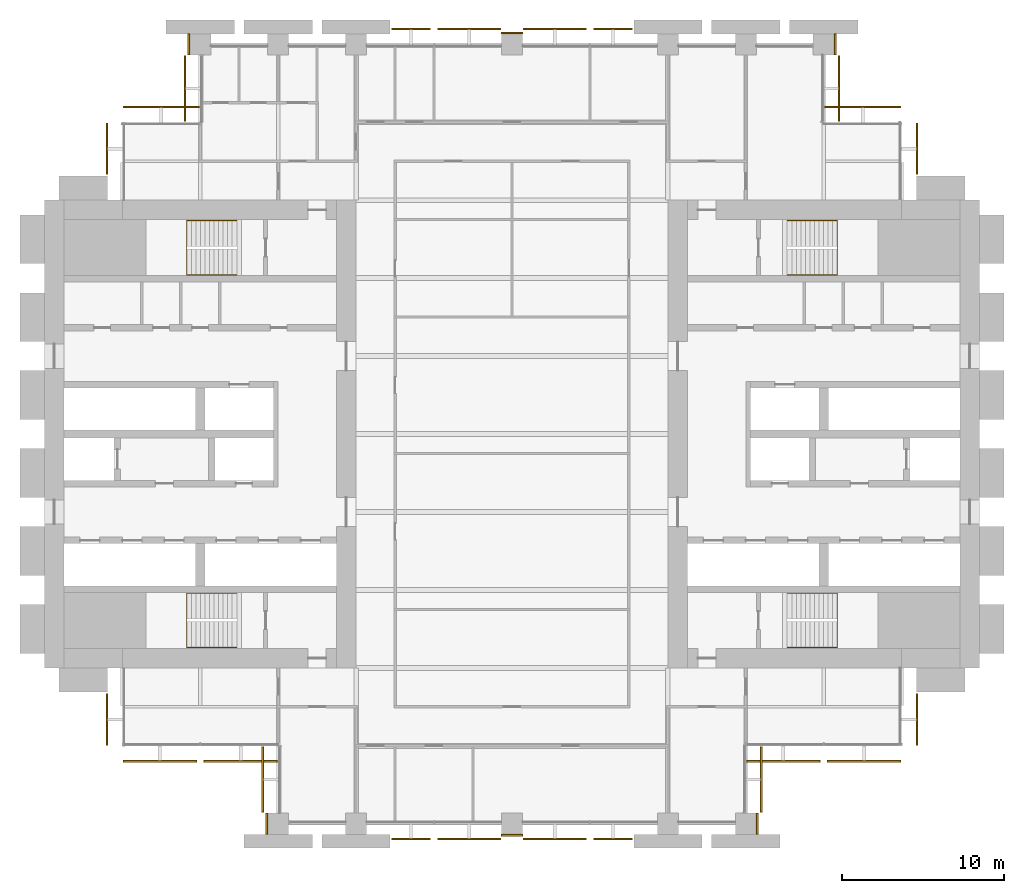
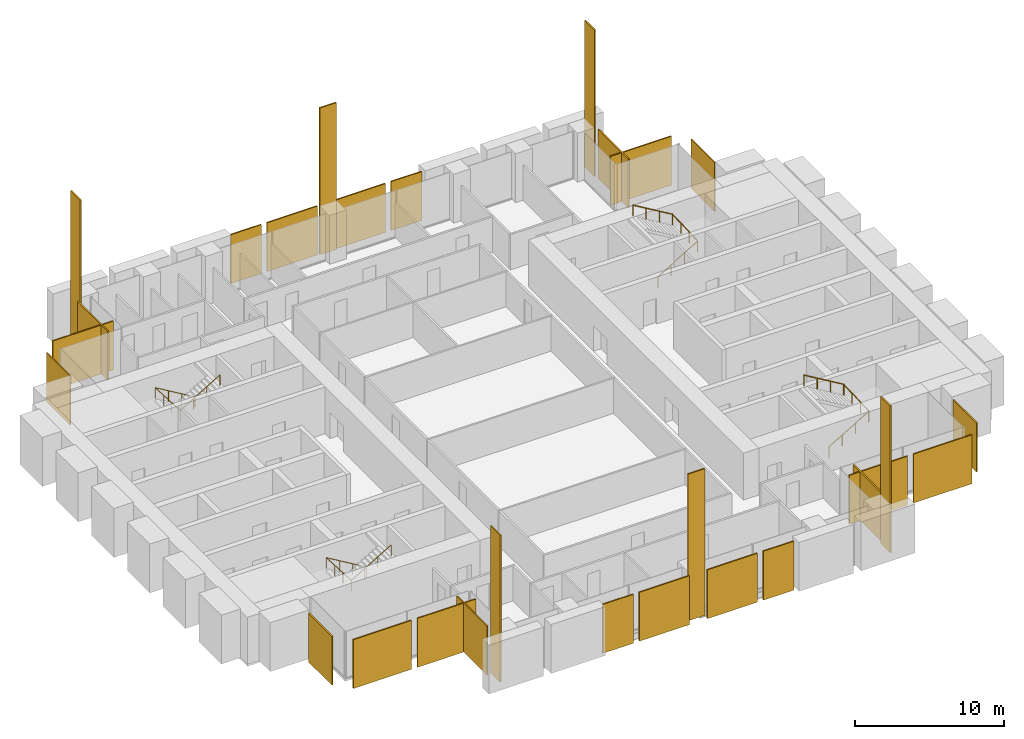
# One storey, part 14 of 14: 28 coverings, 4 railings.
"""IFC4 building model written with IfcOpenShell, lengths in metres."""

from ifc_helpers import new_model, si_unit, direction, frame, origin, origin_2d, place, context, subcontext, project, spatial, polyline, rectangle, circle, outline, extrude, material, layer, layer_set, type_object, element, save


model = new_model("IFC4")

# Units and contexts
model_context = context("Model", 3, precision=1e-05, world=origin(), true_north=direction((0.0, 1.0)))
body_context = subcontext(model_context, "Body", "Model", "MODEL_VIEW")
ifc_project = project(units=[si_unit("LENGTHUNIT", "METRE"), si_unit("AREAUNIT", "SQUARE_METRE"), si_unit("VOLUMEUNIT", "CUBIC_METRE"), si_unit("PLANEANGLEUNIT", "RADIAN"), si_unit("MASSUNIT", "GRAM", prefix="KILO")], contexts=[model_context])

# Site, building, storey
site_placement = place(None, origin())
site = spatial("IfcSite", under=ifc_project, at=site_placement, CompositionType="ELEMENT")
building_placement = place(site_placement, origin())
building = spatial("IfcBuilding", under=site, at=building_placement, Name="Baori Bourse Tower", CompositionType="ELEMENT")
storey_placement = place(building_placement, frame((0.0, 0.0, 63.0)))
storey = spatial("IfcBuildingStorey", under=building, at=storey_placement, Name="L13", CompositionType="ELEMENT", Elevation=63.0)

# Railings
ifc_material_1 = material(Name="Powder-coated steel balustrade", Category="steel")
railing_type = type_object("IfcRailingType", Name="Core stair handrail", PredefinedType="HANDRAIL", material=ifc_material_1)
railing_1_placement = place(storey_placement, frame((11.85009765625, 14.199951171875, 0.166748046875)))
element("IfcRailing", 1, at=railing_1_placement, inside=storey, type_object=railing_type, Name="L13 ST1 stair handrail 1", PredefinedType="HANDRAIL", context=body_context, shape_type="SweptSolid", body=[
    extrude(circle(Radius=0.02392578125, at=origin_2d()), frame((0.0, 0.0, 0.8759765625), z_axis=(-0.859308565015, 0.0, 0.511457515432), x_axis=(0.0, -1.0, 0.0)), (0.0, 0.0, 1.0), 3.58447265625),
    extrude(circle(Radius=0.02392578125, at=origin_2d()), frame((-3.080078125, 0.0, 2.708984375), z_axis=(0.0, -0.998763387249, 0.04971615724), x_axis=(1.0, 0.0, 0.0)), (0.0, 0.0, 1.0), 3.35400390625),
    extrude(circle(Radius=0.02392578125, at=origin_2d()), frame((-3.080078125, -3.349853515625, 2.8759765625), z_axis=(0.859308565015, 0.0, 0.511457515432), x_axis=(0.0, 1.0, 0.0)), (0.0, 0.0, 1.0), 3.58447265625),
    extrude(circle(Radius=0.02099609375, at=origin_2d()), origin(), (0.0, 0.0, 1.0), 0.851806640625),
    extrude(circle(Radius=0.02099609375, at=origin_2d()), frame((-1.026611328125, 0.0, 0.611083984375)), (0.0, 0.0, 1.0), 0.851806640625),
    extrude(circle(Radius=0.02099609375, at=origin_2d()), frame((-2.053466796875, 0.0, 1.22216796875)), (0.0, 0.0, 1.0), 0.851806640625),
    extrude(circle(Radius=0.02099609375, at=origin_2d()), frame((-3.080078125, 0.0, 1.833251953125)), (0.0, 0.0, 1.0), 0.851806640625),
    extrude(circle(Radius=0.02099609375, at=origin_2d()), frame((-3.080078125, -1.11669921875, 1.888916015625)), (0.0, 0.0, 1.0), 0.851806640625),
    extrude(circle(Radius=0.02099609375, at=origin_2d()), frame((-3.080078125, -2.233154296875, 1.9443359375)), (0.0, 0.0, 1.0), 0.851806640625),
    extrude(circle(Radius=0.02099609375, at=origin_2d()), frame((-3.080078125, -3.349853515625, 2.0)), (0.0, 0.0, 1.0), 0.851806640625),
    extrude(circle(Radius=0.02099609375, at=origin_2d()), frame((-2.053466796875, -3.349853515625, 2.611083984375)), (0.0, 0.0, 1.0), 0.851806640625),
    extrude(circle(Radius=0.02099609375, at=origin_2d()), frame((-1.026611328125, -3.349853515625, 3.22216796875)), (0.0, 0.0, 1.0), 0.851806640625),
    extrude(circle(Radius=0.02099609375, at=origin_2d()), frame((0.0, -3.349853515625, 3.833251953125)), (0.0, 0.0, 1.0), 0.851806640625),
])
railing_2_placement = place(storey_placement, frame((11.85009765625, 37.14990234375, 0.166748046875)))
element("IfcRailing", 2, at=railing_2_placement, inside=storey, type_object=railing_type, Name="L13 ST2 stair handrail 1", PredefinedType="HANDRAIL", context=body_context, shape_type="SweptSolid", body=[
    extrude(circle(Radius=0.02392578125, at=origin_2d()), frame((0.0, 0.0, 0.8759765625), z_axis=(-0.859308565015, 0.0, 0.511457515432), x_axis=(0.0, -1.0, 0.0)), (0.0, 0.0, 1.0), 3.58447265625),
    extrude(circle(Radius=0.02392578125, at=origin_2d()), frame((-3.080078125, 0.0, 2.708984375), z_axis=(0.0, -0.998763387249, 0.04971615724), x_axis=(1.0, 0.0, 0.0)), (0.0, 0.0, 1.0), 3.35400390625),
    extrude(circle(Radius=0.02392578125, at=origin_2d()), frame((-3.080078125, -3.349853515625, 2.8759765625), z_axis=(0.859308565015, 0.0, 0.511457515432), x_axis=(0.0, 1.0, 0.0)), (0.0, 0.0, 1.0), 3.58447265625),
    extrude(circle(Radius=0.02099609375, at=origin_2d()), origin(), (0.0, 0.0, 1.0), 0.851806640625),
    extrude(circle(Radius=0.02099609375, at=origin_2d()), frame((-1.026611328125, 0.0, 0.611083984375)), (0.0, 0.0, 1.0), 0.851806640625),
    extrude(circle(Radius=0.02099609375, at=origin_2d()), frame((-2.053466796875, 0.0, 1.22216796875)), (0.0, 0.0, 1.0), 0.851806640625),
    extrude(circle(Radius=0.02099609375, at=origin_2d()), frame((-3.080078125, 0.0, 1.833251953125)), (0.0, 0.0, 1.0), 0.851806640625),
    extrude(circle(Radius=0.02099609375, at=origin_2d()), frame((-3.080078125, -1.11669921875, 1.888916015625)), (0.0, 0.0, 1.0), 0.851806640625),
    extrude(circle(Radius=0.02099609375, at=origin_2d()), frame((-3.080078125, -2.233154296875, 1.9443359375)), (0.0, 0.0, 1.0), 0.851806640625),
    extrude(circle(Radius=0.02099609375, at=origin_2d()), frame((-3.080078125, -3.349853515625, 2.0)), (0.0, 0.0, 1.0), 0.851806640625),
    extrude(circle(Radius=0.02099609375, at=origin_2d()), frame((-2.053466796875, -3.349853515625, 2.611083984375)), (0.0, 0.0, 1.0), 0.851806640625),
    extrude(circle(Radius=0.02099609375, at=origin_2d()), frame((-1.026611328125, -3.349853515625, 3.22216796875)), (0.0, 0.0, 1.0), 0.851806640625),
    extrude(circle(Radius=0.02099609375, at=origin_2d()), frame((0.0, -3.349853515625, 3.833251953125)), (0.0, 0.0, 1.0), 0.851806640625),
])
railing_3_placement = place(storey_placement, frame((45.75, 10.85009765625, 0.166748046875)))
element("IfcRailing", 3, at=railing_3_placement, inside=storey, type_object=railing_type, Name="L13 ST3 stair handrail 1", PredefinedType="HANDRAIL", context=body_context, shape_type="SweptSolid", body=[
    extrude(circle(Radius=0.02392578125, at=origin_2d()), frame((0.0, 0.0, 0.8759765625), z_axis=(0.859308565015, 0.0, 0.511457515432), x_axis=(0.0, 1.0, 0.0)), (0.0, 0.0, 1.0), 3.58447265625),
    extrude(circle(Radius=0.02392578125, at=origin_2d()), frame((3.080078125, 0.0, 2.708984375), z_axis=(0.0, 0.998763387249, 0.04971615724), x_axis=(-1.0, 0.0, 0.0)), (0.0, 0.0, 1.0), 3.35400390625),
    extrude(circle(Radius=0.02392578125, at=origin_2d()), frame((3.080078125, 3.349853515625, 2.8759765625), z_axis=(-0.859308565015, 0.0, 0.511457515432), x_axis=(0.0, -1.0, 0.0)), (0.0, 0.0, 1.0), 3.58447265625),
    extrude(circle(Radius=0.02099609375, at=origin_2d()), origin(), (0.0, 0.0, 1.0), 0.851806640625),
    extrude(circle(Radius=0.02099609375, at=origin_2d()), frame((1.026611328125, 0.0, 0.611083984375)), (0.0, 0.0, 1.0), 0.851806640625),
    extrude(circle(Radius=0.02099609375, at=origin_2d()), frame((2.053466796875, 0.0, 1.22216796875)), (0.0, 0.0, 1.0), 0.851806640625),
    extrude(circle(Radius=0.02099609375, at=origin_2d()), frame((3.080078125, 0.0, 1.833251953125)), (0.0, 0.0, 1.0), 0.851806640625),
    extrude(circle(Radius=0.02099609375, at=origin_2d()), frame((3.080078125, 1.11669921875, 1.888916015625)), (0.0, 0.0, 1.0), 0.851806640625),
    extrude(circle(Radius=0.02099609375, at=origin_2d()), frame((3.080078125, 2.233154296875, 1.9443359375)), (0.0, 0.0, 1.0), 0.851806640625),
    extrude(circle(Radius=0.02099609375, at=origin_2d()), frame((3.080078125, 3.349853515625, 2.0)), (0.0, 0.0, 1.0), 0.851806640625),
    extrude(circle(Radius=0.02099609375, at=origin_2d()), frame((2.053466796875, 3.349853515625, 2.611083984375)), (0.0, 0.0, 1.0), 0.851806640625),
    extrude(circle(Radius=0.02099609375, at=origin_2d()), frame((1.026611328125, 3.349853515625, 3.22216796875)), (0.0, 0.0, 1.0), 0.851806640625),
    extrude(circle(Radius=0.02099609375, at=origin_2d()), frame((0.0, 3.349853515625, 3.833251953125)), (0.0, 0.0, 1.0), 0.851806640625),
])
railing_4_placement = place(storey_placement, frame((45.75, 33.800048828125, 0.166748046875)))
element("IfcRailing", 4, at=railing_4_placement, inside=storey, type_object=railing_type, Name="L13 ST4 stair handrail 1", PredefinedType="HANDRAIL", context=body_context, shape_type="SweptSolid", body=[
    extrude(circle(Radius=0.02392578125, at=origin_2d()), frame((0.0, 0.0, 0.8759765625), z_axis=(0.859308565015, 0.0, 0.511457515432), x_axis=(0.0, 1.0, 0.0)), (0.0, 0.0, 1.0), 3.58447265625),
    extrude(circle(Radius=0.02392578125, at=origin_2d()), frame((3.080078125, 0.0, 2.708984375), z_axis=(0.0, 0.998763387249, 0.04971615724), x_axis=(-1.0, 0.0, 0.0)), (0.0, 0.0, 1.0), 3.35400390625),
    extrude(circle(Radius=0.02392578125, at=origin_2d()), frame((3.080078125, 3.349853515625, 2.8759765625), z_axis=(-0.859308565015, 0.0, 0.511457515432), x_axis=(0.0, -1.0, 0.0)), (0.0, 0.0, 1.0), 3.58447265625),
    extrude(circle(Radius=0.02099609375, at=origin_2d()), origin(), (0.0, 0.0, 1.0), 0.851806640625),
    extrude(circle(Radius=0.02099609375, at=origin_2d()), frame((1.026611328125, 0.0, 0.611083984375)), (0.0, 0.0, 1.0), 0.851806640625),
    extrude(circle(Radius=0.02099609375, at=origin_2d()), frame((2.053466796875, 0.0, 1.22216796875)), (0.0, 0.0, 1.0), 0.851806640625),
    extrude(circle(Radius=0.02099609375, at=origin_2d()), frame((3.080078125, 0.0, 1.833251953125)), (0.0, 0.0, 1.0), 0.851806640625),
    extrude(circle(Radius=0.02099609375, at=origin_2d()), frame((3.080078125, 1.11669921875, 1.888916015625)), (0.0, 0.0, 1.0), 0.851806640625),
    extrude(circle(Radius=0.02099609375, at=origin_2d()), frame((3.080078125, 2.233154296875, 1.9443359375)), (0.0, 0.0, 1.0), 0.851806640625),
    extrude(circle(Radius=0.02099609375, at=origin_2d()), frame((3.080078125, 3.349853515625, 2.0)), (0.0, 0.0, 1.0), 0.851806640625),
    extrude(circle(Radius=0.02099609375, at=origin_2d()), frame((2.053466796875, 3.349853515625, 2.611083984375)), (0.0, 0.0, 1.0), 0.851806640625),
    extrude(circle(Radius=0.02099609375, at=origin_2d()), frame((1.026611328125, 3.349853515625, 3.22216796875)), (0.0, 0.0, 1.0), 0.851806640625),
    extrude(circle(Radius=0.02099609375, at=origin_2d()), frame((0.0, 3.349853515625, 3.833251953125)), (0.0, 0.0, 1.0), 0.851806640625),
])

# Coverings
ifc_material_2 = material(Name="Pale anodised aluminium", Category="aluminium")
ifc_layer_1 = layer(ifc_material_2, 0.10009765625)
ifc_layer_set_1 = layer_set([ifc_layer_1], Name="OS3 Outer skin screen panel")
covering_type_1 = type_object("IfcCoveringType", Name="OS3 Outer skin screen panel", PredefinedType="CLADDING", material=ifc_layer_set_1)
covering_1_placement = place(storey_placement, frame((0.0, 0.0, -0.159912109375)))
element("IfcCovering", 5, at=covering_1_placement, inside=storey, type_object=covering_type_1, Name="Outer skin screen L13 1", PredefinedType="CLADDING", context=body_context, shape_type="SweptSolid", body=[
    extrude(outline(polyline([(53.699951171875, 43.14990234375), (53.699951171875, 40.0), (53.800048828125, 40.0), (53.800048828125, 43.14990234375), (53.699951171875, 43.14990234375)])), origin(), (0.0, 0.0, 1.0), 4.0),
])
covering_2_placement = place(storey_placement, frame((0.0, 0.0, -0.159912109375)))
element("IfcCovering", 6, at=covering_2_placement, inside=storey, type_object=covering_type_1, Name="Outer skin screen L13 2", PredefinedType="CLADDING", context=body_context, shape_type="SweptSolid", body=[
    extrude(outline(polyline([(48.050048828125, 44.10009765625), (52.75, 44.10009765625), (52.75, 44.199951171875), (48.050048828125, 44.199951171875), (48.050048828125, 44.10009765625)])), origin(), (0.0, 0.0, 1.0), 4.0),
])
covering_3_placement = place(storey_placement, frame((0.0, 0.0, -0.159912109375)))
element("IfcCovering", 7, at=covering_3_placement, inside=storey, type_object=covering_type_1, Name="Outer skin screen L13 3", PredefinedType="CLADDING", context=body_context, shape_type="SweptSolid", body=[
    extrude(outline(polyline([(48.89990234375, 47.300048828125), (48.89990234375, 43.25), (49.0, 43.25), (49.0, 47.300048828125), (48.89990234375, 47.300048828125)])), origin(), (0.0, 0.0, 1.0), 4.0),
])
covering_4_placement = place(storey_placement, frame((0.0, 0.0, -0.159912109375)))
element("IfcCovering", 8, at=covering_4_placement, inside=storey, type_object=covering_type_1, Name="Outer skin screen L13 4", PredefinedType="CLADDING", context=body_context, shape_type="SweptSolid", body=[
    extrude(outline(polyline([(33.824951171875, 48.89990234375), (36.199951171875, 48.89990234375), (36.199951171875, 49.0), (33.824951171875, 49.0), (33.824951171875, 48.89990234375)])), origin(), (0.0, 0.0, 1.0), 4.0),
])
covering_5_placement = place(storey_placement, frame((0.0, 0.0, -0.159912109375)))
element("IfcCovering", 9, at=covering_5_placement, inside=storey, type_object=covering_type_1, Name="Outer skin screen L13 5", PredefinedType="CLADDING", context=body_context, shape_type="SweptSolid", body=[
    extrude(outline(polyline([(29.5, 48.89990234375), (33.375, 48.89990234375), (33.375, 49.0), (29.5, 49.0), (29.5, 48.89990234375)])), origin(), (0.0, 0.0, 1.0), 4.0),
])
covering_6_placement = place(storey_placement, frame((0.0, 0.0, -0.159912109375)))
element("IfcCovering", 10, at=covering_6_placement, inside=storey, type_object=covering_type_1, Name="Outer skin screen L13 6", PredefinedType="CLADDING", context=body_context, shape_type="SweptSolid", body=[
    extrude(outline(polyline([(24.22509765625, 48.89990234375), (28.10009765625, 48.89990234375), (28.10009765625, 49.0), (24.22509765625, 49.0), (24.22509765625, 48.89990234375)])), origin(), (0.0, 0.0, 1.0), 4.0),
])
covering_7_placement = place(storey_placement, frame((0.0, 0.0, -0.159912109375)))
element("IfcCovering", 11, at=covering_7_placement, inside=storey, type_object=covering_type_1, Name="Outer skin screen L13 7", PredefinedType="CLADDING", context=body_context, shape_type="SweptSolid", body=[
    extrude(outline(polyline([(21.39990234375, 48.89990234375), (23.77490234375, 48.89990234375), (23.77490234375, 49.0), (21.39990234375, 49.0), (21.39990234375, 48.89990234375)])), origin(), (0.0, 0.0, 1.0), 4.0),
])
covering_8_placement = place(storey_placement, frame((0.0, 0.0, -0.159912109375)))
element("IfcCovering", 12, at=covering_8_placement, inside=storey, type_object=covering_type_1, Name="Outer skin screen L13 8", PredefinedType="CLADDING", context=body_context, shape_type="SweptSolid", body=[
    extrude(outline(polyline([(8.699951171875, 43.25), (8.699951171875, 47.300048828125), (8.60009765625, 47.300048828125), (8.60009765625, 43.25), (8.699951171875, 43.25)])), origin(), (0.0, 0.0, 1.0), 4.0),
])
covering_9_placement = place(storey_placement, frame((0.0, 0.0, -0.159912109375)))
element("IfcCovering", 13, at=covering_9_placement, inside=storey, type_object=covering_type_1, Name="Outer skin screen L13 9", PredefinedType="CLADDING", context=body_context, shape_type="SweptSolid", body=[
    extrude(outline(polyline([(4.85009765625, 44.10009765625), (9.550048828125, 44.10009765625), (9.550048828125, 44.199951171875), (4.85009765625, 44.199951171875), (4.85009765625, 44.10009765625)])), origin(), (0.0, 0.0, 1.0), 4.0),
])
covering_10_placement = place(storey_placement, frame((0.0, 0.0, -0.159912109375)))
element("IfcCovering", 14, at=covering_10_placement, inside=storey, type_object=covering_type_1, Name="Outer skin screen L13 10", PredefinedType="CLADDING", context=body_context, shape_type="SweptSolid", body=[
    extrude(outline(polyline([(3.89990234375, 40.0), (3.89990234375, 43.14990234375), (3.800048828125, 43.14990234375), (3.800048828125, 40.0), (3.89990234375, 40.0), (3.89990234375, 40.0)])), origin(), (0.0, 0.0, 1.0), 4.0),
])
covering_11_placement = place(storey_placement, frame((0.0, 0.0, -0.159912109375)))
element("IfcCovering", 15, at=covering_11_placement, inside=storey, type_object=covering_type_1, Name="Outer skin screen L13 11", PredefinedType="CLADDING", context=body_context, shape_type="SweptSolid", body=[
    extrude(outline(polyline([(3.89990234375, 4.85009765625), (3.89990234375, 8.0), (3.89990234375, 8.0), (3.800048828125, 8.0), (3.800048828125, 4.85009765625), (3.89990234375, 4.85009765625)])), origin(), (0.0, 0.0, 1.0), 4.0),
])
covering_12_placement = place(storey_placement, frame((0.0, 0.0, -0.159912109375)))
element("IfcCovering", 16, at=covering_12_placement, inside=storey, type_object=covering_type_1, Name="Outer skin screen L13 12", PredefinedType="CLADDING", context=body_context, shape_type="SweptSolid", body=[
    extrude(outline(polyline([(9.375, 3.89990234375), (4.85009765625, 3.89990234375), (4.85009765625, 3.800048828125), (9.375, 3.800048828125), (9.375, 3.89990234375)])), origin(), (0.0, 0.0, 1.0), 4.0),
])
covering_13_placement = place(storey_placement, frame((0.0, 0.0, -0.159912109375)))
element("IfcCovering", 17, at=covering_13_placement, inside=storey, type_object=covering_type_1, Name="Outer skin screen L13 13", PredefinedType="CLADDING", context=body_context, shape_type="SweptSolid", body=[
    extrude(outline(polyline([(14.35009765625, 3.89990234375), (9.824951171875, 3.89990234375), (9.824951171875, 3.800048828125), (14.35009765625, 3.800048828125), (14.35009765625, 3.89990234375)])), origin(), (0.0, 0.0, 1.0), 4.0),
])
covering_14_placement = place(storey_placement, frame((0.0, 0.0, -0.159912109375)))
element("IfcCovering", 18, at=covering_14_placement, inside=storey, type_object=covering_type_1, Name="Outer skin screen L13 14", PredefinedType="CLADDING", context=body_context, shape_type="SweptSolid", body=[
    extrude(outline(polyline([(13.5, 0.699951171875), (13.5, 4.75), (13.39990234375, 4.75), (13.39990234375, 0.699951171875), (13.5, 0.699951171875)])), origin(), (0.0, 0.0, 1.0), 4.0),
])
covering_15_placement = place(storey_placement, frame((0.0, 0.0, -0.159912109375)))
element("IfcCovering", 19, at=covering_15_placement, inside=storey, type_object=covering_type_1, Name="Outer skin screen L13 15", PredefinedType="CLADDING", context=body_context, shape_type="SweptSolid", body=[
    extrude(outline(polyline([(23.77490234375, -0.89990234375), (21.39990234375, -0.89990234375), (21.39990234375, -1.0), (23.77490234375, -1.0), (23.77490234375, -0.89990234375)])), origin(), (0.0, 0.0, 1.0), 4.0),
])
covering_16_placement = place(storey_placement, frame((0.0, 0.0, -0.159912109375)))
element("IfcCovering", 20, at=covering_16_placement, inside=storey, type_object=covering_type_1, Name="Outer skin screen L13 16", PredefinedType="CLADDING", context=body_context, shape_type="SweptSolid", body=[
    extrude(outline(polyline([(28.10009765625, -0.89990234375), (24.22509765625, -0.89990234375), (24.22509765625, -1.0), (28.10009765625, -1.0), (28.10009765625, -0.89990234375)])), origin(), (0.0, 0.0, 1.0), 4.0),
])
covering_17_placement = place(storey_placement, frame((0.0, 0.0, -0.159912109375)))
element("IfcCovering", 21, at=covering_17_placement, inside=storey, type_object=covering_type_1, Name="Outer skin screen L13 17", PredefinedType="CLADDING", context=body_context, shape_type="SweptSolid", body=[
    extrude(outline(polyline([(33.375, -0.89990234375), (29.5, -0.89990234375), (29.5, -1.0), (33.375, -1.0), (33.375, -0.89990234375)])), origin(), (0.0, 0.0, 1.0), 4.0),
])
covering_18_placement = place(storey_placement, frame((0.0, 0.0, -0.159912109375)))
element("IfcCovering", 22, at=covering_18_placement, inside=storey, type_object=covering_type_1, Name="Outer skin screen L13 18", PredefinedType="CLADDING", context=body_context, shape_type="SweptSolid", body=[
    extrude(outline(polyline([(36.199951171875, -0.89990234375), (33.824951171875, -0.89990234375), (33.824951171875, -1.0), (36.199951171875, -1.0), (36.199951171875, -0.89990234375)])), origin(), (0.0, 0.0, 1.0), 4.0),
])
covering_19_placement = place(storey_placement, frame((0.0, 0.0, -0.159912109375)))
element("IfcCovering", 23, at=covering_19_placement, inside=storey, type_object=covering_type_1, Name="Outer skin screen L13 19", PredefinedType="CLADDING", context=body_context, shape_type="SweptSolid", body=[
    extrude(outline(polyline([(44.10009765625, 4.75), (44.10009765625, 0.699951171875), (44.199951171875, 0.699951171875), (44.199951171875, 4.75), (44.10009765625, 4.75)])), origin(), (0.0, 0.0, 1.0), 4.0),
])
covering_20_placement = place(storey_placement, frame((0.0, 0.0, -0.159912109375)))
element("IfcCovering", 24, at=covering_20_placement, inside=storey, type_object=covering_type_1, Name="Outer skin screen L13 20", PredefinedType="CLADDING", context=body_context, shape_type="SweptSolid", body=[
    extrude(outline(polyline([(47.77490234375, 3.89990234375), (43.25, 3.89990234375), (43.25, 3.800048828125), (47.77490234375, 3.800048828125), (47.77490234375, 3.89990234375)])), origin(), (0.0, 0.0, 1.0), 4.0),
])
covering_21_placement = place(storey_placement, frame((0.0, 0.0, -0.159912109375)))
element("IfcCovering", 25, at=covering_21_placement, inside=storey, type_object=covering_type_1, Name="Outer skin screen L13 21", PredefinedType="CLADDING", context=body_context, shape_type="SweptSolid", body=[
    extrude(outline(polyline([(52.75, 3.89990234375), (48.22509765625, 3.89990234375), (48.22509765625, 3.800048828125), (52.75, 3.800048828125), (52.75, 3.89990234375)])), origin(), (0.0, 0.0, 1.0), 4.0),
])
covering_22_placement = place(storey_placement, frame((0.0, 0.0, -0.159912109375)))
element("IfcCovering", 26, at=covering_22_placement, inside=storey, type_object=covering_type_1, Name="Outer skin screen L13 22", PredefinedType="CLADDING", context=body_context, shape_type="SweptSolid", body=[
    extrude(outline(polyline([(53.699951171875, 8.0), (53.699951171875, 4.85009765625), (53.800048828125, 4.85009765625), (53.800048828125, 8.0), (53.699951171875, 8.0)])), origin(), (0.0, 0.0, 1.0), 4.0),
])
ifc_material_3 = material(Name="Face brick", Category="masonry")
ifc_layer_2 = layer(ifc_material_3, 0.110107421875)
ifc_layer_set_2 = layer_set([ifc_layer_2], Name="PC1 Brick pier facing")
covering_type_2 = type_object("IfcCoveringType", Name="PC1 Brick pier facing", PredefinedType="CLADDING", material=ifc_layer_set_2)
covering_23_placement = place(storey_placement, frame((13.695068359375, 0.0, 0.0), z_axis=(0.0, 0.0, 1.0), x_axis=(1.0, 0.0, 0.0)))
element("IfcCovering", 27, at=covering_23_placement, inside=storey, type_object=covering_type_2, Name="Brick pier facing L13 1", PredefinedType="CLADDING", context=body_context, shape_type="SweptSolid", body=[
    extrude(rectangle(XDim=0.110107421875, YDim=1.300048828125, at=origin_2d()), origin(), (0.0, 0.0, 1.0), 12.0),
])
covering_24_placement = place(storey_placement, frame((28.800048828125, -0.705078125, 0.0), z_axis=(0.0, 0.0, 1.0), x_axis=(1.0, 0.0, 0.0)))
element("IfcCovering", 28, at=covering_24_placement, inside=storey, type_object=covering_type_2, Name="Brick pier facing L13 2", PredefinedType="CLADDING", context=body_context, shape_type="SweptSolid", body=[
    extrude(rectangle(XDim=1.300048828125, YDim=0.110107421875, at=origin_2d()), origin(), (0.0, 0.0, 1.0), 12.0),
])
for number, where, z_axis, x_axis, name in (
    (29, (43.905029296875, 0.0, 0.0), (0.0, 0.0, 1.0), (1.0, 0.0, 0.0), "Brick pier facing L13 3"),
    (30, (8.89501953125, 48.0, 0.0), (0.0, 0.0, 1.0), (1.0, 0.0, 0.0), "Brick pier facing L13 4"),
):
    element("IfcCovering", number, at=place(storey_placement, frame(where, z_axis=z_axis, x_axis=x_axis)), inside=storey, type_object=covering_type_2, Name=name, PredefinedType="CLADDING", context=body_context, shape_type="SweptSolid", body=[
        extrude(rectangle(XDim=0.110107421875, YDim=1.300048828125, at=origin_2d()), origin(), (0.0, 0.0, 1.0), 12.0),
    ])
covering_25_placement = place(storey_placement, frame((28.800048828125, 48.705078125, 0.0), z_axis=(0.0, 0.0, 1.0), x_axis=(1.0, 0.0, 0.0)))
element("IfcCovering", 31, at=covering_25_placement, inside=storey, type_object=covering_type_2, Name="Brick pier facing L13 5", PredefinedType="CLADDING", context=body_context, shape_type="SweptSolid", body=[
    extrude(rectangle(XDim=1.300048828125, YDim=0.110107421875, at=origin_2d()), origin(), (0.0, 0.0, 1.0), 12.0),
])
covering_26_placement = place(storey_placement, frame((48.705078125, 48.0, 0.0), z_axis=(0.0, 0.0, 1.0), x_axis=(1.0, 0.0, 0.0)))
element("IfcCovering", 32, at=covering_26_placement, inside=storey, type_object=covering_type_2, Name="Brick pier facing L13 6", PredefinedType="CLADDING", context=body_context, shape_type="SweptSolid", body=[
    extrude(rectangle(XDim=0.110107421875, YDim=1.300048828125, at=origin_2d()), origin(), (0.0, 0.0, 1.0), 12.0),
])

save(model, "model.ifc")
